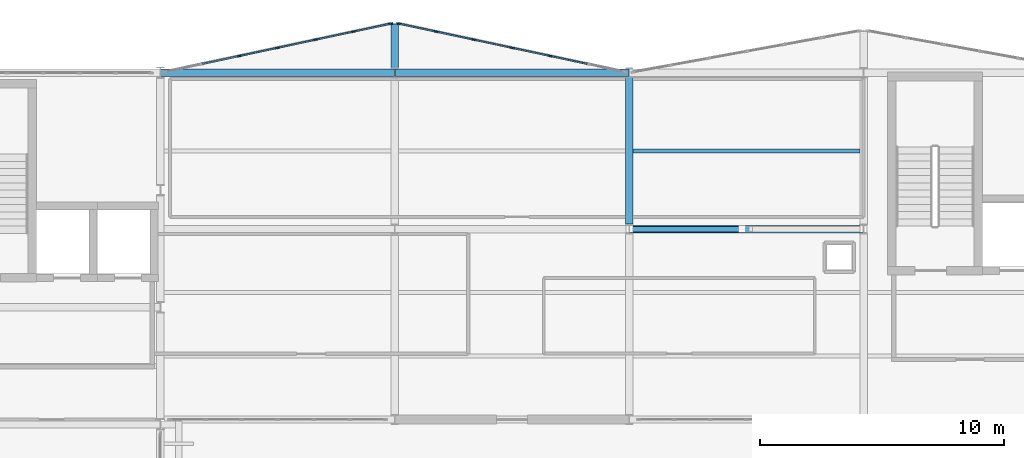
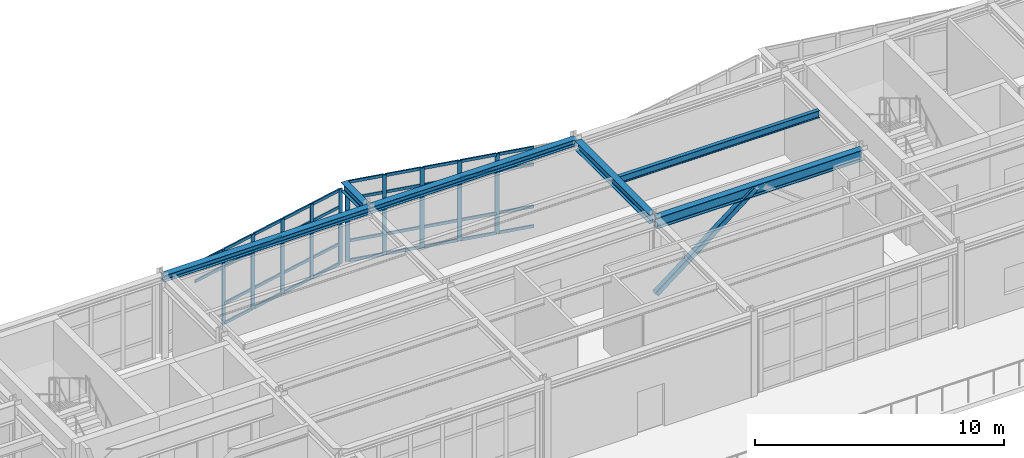
# One storey, part 23 of 47: 49 members, 6 beams, 2 elements without a shape of their own.
"""IFC4 building model written with IfcOpenShell, lengths in metres."""

from ifc_helpers import new_model, si_unit, direction, frame, origin, origin_2d, place, context, subcontext, project, spatial, rectangle, hollow_rectangle, i_section, extrude, material, layer, layer_set, material_profile, profile_set, type_object, element, aggregate, save


model = new_model("IFC4")

# Units and contexts
model_context = context("Model", 3, precision=1e-05, world=origin(), true_north=direction((0.0, 1.0)))
body_context = subcontext(model_context, "Body", "Model", "MODEL_VIEW")
ifc_project = project(units=[si_unit("LENGTHUNIT", "METRE"), si_unit("AREAUNIT", "SQUARE_METRE"), si_unit("VOLUMEUNIT", "CUBIC_METRE"), si_unit("PLANEANGLEUNIT", "RADIAN"), si_unit("MASSUNIT", "GRAM", prefix="KILO")], contexts=[model_context])

# Site, building, storey
site_placement = place(None, origin())
site = spatial("IfcSite", under=ifc_project, at=site_placement, CompositionType="ELEMENT")
building_placement = place(site_placement, origin())
building = spatial("IfcBuilding", under=site, at=building_placement, Name="Nordkorset Police Headquarters", CompositionType="ELEMENT")
storey_placement = place(building_placement, frame((0.0, 0.0, 22.050048828125)))
storey = spatial("IfcBuildingStorey", under=building, at=storey_placement, Name="L05", CompositionType="ELEMENT", Elevation=22.050048828125)

# Beam
ifc_material_1 = material(Name="Steel S355J2", Category="steel")
ifc_material_profile_1 = material_profile(ifc_material_1, i_section(OverallWidth=0.169921875, OverallDepth=0.360107421875, WebThickness=0.008056640625, FlangeThickness=0.0126953125, FilletRadius=0.01806640625, at=origin_2d()), Name="IPE 360")
ifc_profile_set_1 = profile_set([ifc_material_profile_1], Name="Steel S355J2")
beam_type_1 = type_object("IfcBeamType", Name="Beam_IPE_360", PredefinedType="BEAM", material=ifc_profile_set_1)
beam_1_placement = place(storey_placement, frame((48.14990234375, 113.60009765625, 3.820068359375), z_axis=(1.0, 0.0, 0.0), x_axis=(0.0, 1.0, 0.0)))
element("IfcBeam", 1, at=beam_1_placement, inside=storey, type_object=beam_type_1, Name="Composite Floor Beam V2 L05 2-1-1", PredefinedType="BEAM", context=body_context, shape_type="SweptSolid", body=[
    extrude(i_section(OverallWidth=0.169921875, OverallDepth=0.360107421875, WebThickness=0.008056640625, FlangeThickness=0.0126953125, FilletRadius=0.01806640625, at=origin_2d()), origin(), (0.0, 0.0, 1.0), 9.300048828125),
])

# Member
ifc_material_2 = material(Name="Steel S355J2", Category="steel")
ifc_material_profile_2 = material_profile(ifc_material_2, hollow_rectangle(XDim=0.25, YDim=0.25, WallThickness=0.012451171875, InnerFilletRadius=0.012451171875, OuterFilletRadius=0.02490234375, at=origin_2d()), Name="SHS 250x250x12.5")
ifc_profile_set_2 = profile_set([ifc_material_profile_2], Name="Steel S355J2")
member_type_1 = type_object("IfcMemberType", Name="Brace_SHS_250x250x12.5", PredefinedType="BRACE", material=ifc_profile_set_2)
member_1_placement = place(storey_placement, frame((48.006591796875, 110.39990234375, 0.199951171875), z_axis=(0.790033833486, 0.0, 0.613063244655), x_axis=(0.0, 1.0, 0.0)))
element("IfcMember", 2, at=member_1_placement, inside=storey, type_object=member_type_1, Name="Lateral Chevron Brace BF-V2-A L05 D1", PredefinedType="BRACE", context=body_context, shape_type="SweptSolid", body=[
    extrude(hollow_rectangle(XDim=0.25, YDim=0.25, WallThickness=0.012451171875, InnerFilletRadius=0.012451171875, OuterFilletRadius=0.02490234375, at=origin_2d()), origin(), (0.0, 0.0, 1.0), 5.839599609375),
])

# Curtain wall, members
ifc_material_3 = material(Name="Aluminium alloy AW-6060", Category="aluminium")
ifc_layer_1 = layer(ifc_material_3, 0.179931640625, Name="Aluminium alloy AW-6060")
ifc_layer_set_1 = layer_set([ifc_layer_1], Name="Aluminium alloy AW-6060")
curtain_wall_type_1 = type_object("IfcCurtainWallType", Name="CW_Unit_954x367", PredefinedType="USERDEFINED", material=ifc_layer_set_1)
curtain_wall_1_placement = place(storey_placement, origin())
curtain_wall_1 = element("IfcCurtainWall", 3, at=curtain_wall_1_placement, inside=storey, type_object=curtain_wall_type_1, Name="Unitised Curtain Wall L05 V2N-0", ObjectType="UNITISED CURTAIN WALL", PredefinedType="USERDEFINED")
ifc_material_4 = material(Name="Aluminium alloy AW-6060", Category="aluminium")
ifc_material_profile_3 = material_profile(ifc_material_4, rectangle(XDim=0.06494140625, YDim=0.179931640625, at=origin_2d()), Name="ALU MULL 65x180")
ifc_profile_set_3 = profile_set([ifc_material_profile_3], Name="Aluminium alloy AW-6060")
member_type_2 = type_object("IfcMemberType", Name="CW_Mullion_65x180", PredefinedType="MULLION", material=ifc_profile_set_3)
member_2_placement = place(storey_placement, frame((32.045654296875, 117.4931640625, 0.0), z_axis=(0.0, 0.0, 1.0), x_axis=(-0.208832534289, 0.977951416289, 0.0)))
member_2 = element("IfcMember", 4, at=member_2_placement, type_object=member_type_2, Name="CW-71 mullion 3", PredefinedType="MULLION", context=body_context, shape_type="SweptSolid", body=[
    extrude(rectangle(XDim=0.06494140625, YDim=0.179931640625, at=origin_2d()), origin(), (0.0, 0.0, 1.0), 3.669921875),
])
member_3_placement = place(storey_placement, frame((33.60009765625, 117.824951171875, 0.0), z_axis=(0.0, 0.0, 1.0), x_axis=(-0.208832534289, 0.977951416289, 0.0)))
member_3 = element("IfcMember", 5, at=member_3_placement, type_object=member_type_2, Name="CW-71 mullion 4", PredefinedType="MULLION", context=body_context, shape_type="SweptSolid", body=[
    extrude(rectangle(XDim=0.06494140625, YDim=0.179931640625, at=origin_2d()), origin(), (0.0, 0.0, 1.0), 3.669921875),
])
member_4_placement = place(storey_placement, frame((35.154296875, 118.156982421875, 0.0), z_axis=(0.0, 0.0, 1.0), x_axis=(-0.208832534289, 0.977951416289, 0.0)))
member_4 = element("IfcMember", 6, at=member_4_placement, type_object=member_type_2, Name="CW-71 mullion 5", PredefinedType="MULLION", context=body_context, shape_type="SweptSolid", body=[
    extrude(rectangle(XDim=0.06494140625, YDim=0.179931640625, at=origin_2d()), origin(), (0.0, 0.0, 1.0), 3.669921875),
])
member_5_placement = place(storey_placement, frame((36.708740234375, 118.48876953125, 0.0), z_axis=(0.0, 0.0, 1.0), x_axis=(-0.208832534289, 0.977951416289, 0.0)))
member_5 = element("IfcMember", 7, at=member_5_placement, type_object=member_type_2, Name="CW-71 mullion 6", PredefinedType="MULLION", context=body_context, shape_type="SweptSolid", body=[
    extrude(rectangle(XDim=0.06494140625, YDim=0.179931640625, at=origin_2d()), origin(), (0.0, 0.0, 1.0), 3.669921875),
])
member_6_placement = place(storey_placement, frame((38.231201171875, 118.81396484375, 0.0), z_axis=(0.0, 0.0, 1.0), x_axis=(-0.208832534289, 0.977951416289, 0.0)))
member_6 = element("IfcMember", 8, at=member_6_placement, type_object=member_type_2, Name="CW-71 mullion 7", PredefinedType="MULLION", context=body_context, shape_type="SweptSolid", body=[
    extrude(rectangle(XDim=0.06494140625, YDim=0.179931640625, at=origin_2d()), origin(), (0.0, 0.0, 1.0), 3.669921875),
])

ifc_material_5 = material(Name="Aluminium alloy AW-6060", Category="aluminium")
ifc_layer_2 = layer(ifc_material_5, 0.179931640625, Name="Aluminium alloy AW-6060")
ifc_layer_set_2 = layer_set([ifc_layer_2], Name="Aluminium alloy AW-6060")
curtain_wall_type_2 = type_object("IfcCurtainWallType", Name="CW_Unit_954x392", PredefinedType="USERDEFINED", material=ifc_layer_set_2)
curtain_wall_2_placement = place(storey_placement, origin())
curtain_wall_2 = element("IfcCurtainWall", 9, at=curtain_wall_2_placement, inside=storey, type_object=curtain_wall_type_2, Name="Unitised Curtain Wall L05 V2N-1", ObjectType="UNITISED CURTAIN WALL", PredefinedType="USERDEFINED")
member_7_placement = place(storey_placement, frame((38.568603515625, 118.81396484375, 0.0), z_axis=(0.0, 0.0, 1.0), x_axis=(0.208832534289, 0.977951416289, 0.0)))
member_7 = element("IfcMember", 10, at=member_7_placement, type_object=member_type_2, Name="CW-20 mullion 1", PredefinedType="MULLION", context=body_context, shape_type="SweptSolid", body=[
    extrude(rectangle(XDim=0.06494140625, YDim=0.179931640625, at=origin_2d()), origin(), (0.0, 0.0, 1.0), 3.919921875),
])
member_8_placement = place(storey_placement, frame((40.09130859375, 118.48876953125, 0.0), z_axis=(0.0, 0.0, 1.0), x_axis=(0.208832534289, 0.977951416289, 0.0)))
member_8 = element("IfcMember", 11, at=member_8_placement, type_object=member_type_2, Name="CW-20 mullion 2", PredefinedType="MULLION", context=body_context, shape_type="SweptSolid", body=[
    extrude(rectangle(XDim=0.06494140625, YDim=0.179931640625, at=origin_2d()), origin(), (0.0, 0.0, 1.0), 3.919921875),
])
member_9_placement = place(storey_placement, frame((41.645751953125, 118.156982421875, 0.0), z_axis=(0.0, 0.0, 1.0), x_axis=(0.208832534289, 0.977951416289, 0.0)))
member_9 = element("IfcMember", 12, at=member_9_placement, type_object=member_type_2, Name="CW-20 mullion 3", PredefinedType="MULLION", context=body_context, shape_type="SweptSolid", body=[
    extrude(rectangle(XDim=0.06494140625, YDim=0.179931640625, at=origin_2d()), origin(), (0.0, 0.0, 1.0), 3.919921875),
])
member_10_placement = place(storey_placement, frame((43.199951171875, 117.824951171875, 0.0), z_axis=(0.0, 0.0, 1.0), x_axis=(0.208832534289, 0.977951416289, 0.0)))
member_10 = element("IfcMember", 13, at=member_10_placement, type_object=member_type_2, Name="CW-20 mullion 4", PredefinedType="MULLION", context=body_context, shape_type="SweptSolid", body=[
    extrude(rectangle(XDim=0.06494140625, YDim=0.179931640625, at=origin_2d()), origin(), (0.0, 0.0, 1.0), 3.919921875),
])
member_11_placement = place(storey_placement, frame((44.75439453125, 117.4931640625, 0.0), z_axis=(0.0, 0.0, 1.0), x_axis=(0.208832534289, 0.977951416289, 0.0)))
member_11 = element("IfcMember", 14, at=member_11_placement, type_object=member_type_2, Name="CW-20 mullion 5", PredefinedType="MULLION", context=body_context, shape_type="SweptSolid", body=[
    extrude(rectangle(XDim=0.06494140625, YDim=0.179931640625, at=origin_2d()), origin(), (0.0, 0.0, 1.0), 3.919921875),
])

# Member
ifc_material_6 = material(Name="Aluminium alloy AW-6060", Category="aluminium")
ifc_material_profile_4 = material_profile(ifc_material_6, rectangle(XDim=0.06494140625, YDim=0.139892578125, at=origin_2d()), Name="ALU TRAN 65x140")
ifc_profile_set_4 = profile_set([ifc_material_profile_4], Name="Aluminium alloy AW-6060")
member_type_3 = type_object("IfcMemberType", Name="CW_Transom_65x140", PredefinedType="USERDEFINED", material=ifc_profile_set_4)
member_12_placement = place(storey_placement, frame((30.52294921875, 117.16796875, 2.820068359375), z_axis=(0.977954480787, 0.208818182896, 0.0), x_axis=(-0.208818182896, 0.977954480787, 0.0)))
member_12 = element("IfcMember", 15, at=member_12_placement, type_object=member_type_3, Name="CW-71 transom 2.3", ObjectType="TRANSOM", PredefinedType="USERDEFINED", context=body_context, shape_type="SweptSolid", body=[
    extrude(rectangle(XDim=0.06494140625, YDim=0.139892578125, at=origin_2d()), origin(), (0.0, 0.0, 1.0), 1.524658203125),
])

member_13_placement = place(storey_placement, frame((30.52294921875, 117.16796875, 3.637451171875), z_axis=(0.977954480787, 0.208818182896, 0.0), x_axis=(-0.208818182896, 0.977954480787, 0.0)))
member_13 = element("IfcMember", 16, at=member_13_placement, type_object=member_type_3, Name="CW-71 transom 2.4", ObjectType="TRANSOM", PredefinedType="USERDEFINED", context=body_context, shape_type="SweptSolid", body=[
    extrude(rectangle(XDim=0.06494140625, YDim=0.139892578125, at=origin_2d()), origin(), (0.0, 0.0, 1.0), 1.524658203125),
])

member_14_placement = place(storey_placement, frame((32.077392578125, 117.499755859375, 0.032470703125), z_axis=(0.977947496383, 0.208850890154, 0.0), x_axis=(-0.208850890154, 0.977947496383, 0.0)))
member_14 = element("IfcMember", 17, at=member_14_placement, type_object=member_type_3, Name="CW-71 transom 3.1", ObjectType="TRANSOM", PredefinedType="USERDEFINED", context=body_context, shape_type="SweptSolid", body=[
    extrude(rectangle(XDim=0.06494140625, YDim=0.139892578125, at=origin_2d()), origin(), (0.0, 0.0, 1.0), 1.5244140625),
])

member_15_placement = place(storey_placement, frame((32.077392578125, 117.499755859375, 1.0), z_axis=(0.977947496383, 0.208850890154, 0.0), x_axis=(-0.208850890154, 0.977947496383, 0.0)))
member_15 = element("IfcMember", 18, at=member_15_placement, type_object=member_type_3, Name="CW-71 transom 3.2", ObjectType="TRANSOM", PredefinedType="USERDEFINED", context=body_context, shape_type="SweptSolid", body=[
    extrude(rectangle(XDim=0.06494140625, YDim=0.139892578125, at=origin_2d()), origin(), (0.0, 0.0, 1.0), 1.5244140625),
])

member_16_placement = place(storey_placement, frame((32.077392578125, 117.499755859375, 2.820068359375), z_axis=(0.977947496383, 0.208850890154, 0.0), x_axis=(-0.208850890154, 0.977947496383, 0.0)))
member_16 = element("IfcMember", 19, at=member_16_placement, type_object=member_type_3, Name="CW-71 transom 3.3", ObjectType="TRANSOM", PredefinedType="USERDEFINED", context=body_context, shape_type="SweptSolid", body=[
    extrude(rectangle(XDim=0.06494140625, YDim=0.139892578125, at=origin_2d()), origin(), (0.0, 0.0, 1.0), 1.5244140625),
])

member_17_placement = place(storey_placement, frame((32.077392578125, 117.499755859375, 3.637451171875), z_axis=(0.977947496383, 0.208850890154, 0.0), x_axis=(-0.208850890154, 0.977947496383, 0.0)))
member_17 = element("IfcMember", 20, at=member_17_placement, type_object=member_type_3, Name="CW-71 transom 3.4", ObjectType="TRANSOM", PredefinedType="USERDEFINED", context=body_context, shape_type="SweptSolid", body=[
    extrude(rectangle(XDim=0.06494140625, YDim=0.139892578125, at=origin_2d()), origin(), (0.0, 0.0, 1.0), 1.5244140625),
])

member_18_placement = place(storey_placement, frame((33.6318359375, 117.831787109375, 0.032470703125), z_axis=(0.977947496383, 0.208850890154, 0.0), x_axis=(-0.208850890154, 0.977947496383, 0.0)))
member_18 = element("IfcMember", 21, at=member_18_placement, type_object=member_type_3, Name="CW-71 transom 4.1", ObjectType="TRANSOM", PredefinedType="USERDEFINED", context=body_context, shape_type="SweptSolid", body=[
    extrude(rectangle(XDim=0.06494140625, YDim=0.139892578125, at=origin_2d()), origin(), (0.0, 0.0, 1.0), 1.5244140625),
])

member_19_placement = place(storey_placement, frame((33.6318359375, 117.831787109375, 1.0), z_axis=(0.977947496383, 0.208850890154, 0.0), x_axis=(-0.208850890154, 0.977947496383, 0.0)))
member_19 = element("IfcMember", 22, at=member_19_placement, type_object=member_type_3, Name="CW-71 transom 4.2", ObjectType="TRANSOM", PredefinedType="USERDEFINED", context=body_context, shape_type="SweptSolid", body=[
    extrude(rectangle(XDim=0.06494140625, YDim=0.139892578125, at=origin_2d()), origin(), (0.0, 0.0, 1.0), 1.5244140625),
])

member_20_placement = place(storey_placement, frame((33.6318359375, 117.831787109375, 2.820068359375), z_axis=(0.977947496383, 0.208850890154, 0.0), x_axis=(-0.208850890154, 0.977947496383, 0.0)))
member_20 = element("IfcMember", 23, at=member_20_placement, type_object=member_type_3, Name="CW-71 transom 4.3", ObjectType="TRANSOM", PredefinedType="USERDEFINED", context=body_context, shape_type="SweptSolid", body=[
    extrude(rectangle(XDim=0.06494140625, YDim=0.139892578125, at=origin_2d()), origin(), (0.0, 0.0, 1.0), 1.5244140625),
])

member_21_placement = place(storey_placement, frame((33.6318359375, 117.831787109375, 3.637451171875), z_axis=(0.977947496383, 0.208850890154, 0.0), x_axis=(-0.208850890154, 0.977947496383, 0.0)))
member_21 = element("IfcMember", 24, at=member_21_placement, type_object=member_type_3, Name="CW-71 transom 4.4", ObjectType="TRANSOM", PredefinedType="USERDEFINED", context=body_context, shape_type="SweptSolid", body=[
    extrude(rectangle(XDim=0.06494140625, YDim=0.139892578125, at=origin_2d()), origin(), (0.0, 0.0, 1.0), 1.5244140625),
])

member_22_placement = place(storey_placement, frame((35.18603515625, 118.163818359375, 0.032470703125), z_axis=(0.97798717214, 0.208665021336, 0.0), x_axis=(-0.208665021336, 0.97798717214, 0.0)))
member_22 = element("IfcMember", 25, at=member_22_placement, type_object=member_type_3, Name="CW-71 transom 5.1", ObjectType="TRANSOM", PredefinedType="USERDEFINED", context=body_context, shape_type="SweptSolid", body=[
    extrude(rectangle(XDim=0.06494140625, YDim=0.139892578125, at=origin_2d()), origin(), (0.0, 0.0, 1.0), 1.5244140625),
])

member_23_placement = place(storey_placement, frame((35.18603515625, 118.163818359375, 1.0), z_axis=(0.97798717214, 0.208665021336, 0.0), x_axis=(-0.208665021336, 0.97798717214, 0.0)))
member_23 = element("IfcMember", 26, at=member_23_placement, type_object=member_type_3, Name="CW-71 transom 5.2", ObjectType="TRANSOM", PredefinedType="USERDEFINED", context=body_context, shape_type="SweptSolid", body=[
    extrude(rectangle(XDim=0.06494140625, YDim=0.139892578125, at=origin_2d()), origin(), (0.0, 0.0, 1.0), 1.5244140625),
])

member_24_placement = place(storey_placement, frame((35.18603515625, 118.163818359375, 2.820068359375), z_axis=(0.97798717214, 0.208665021336, 0.0), x_axis=(-0.208665021336, 0.97798717214, 0.0)))
member_24 = element("IfcMember", 27, at=member_24_placement, type_object=member_type_3, Name="CW-71 transom 5.3", ObjectType="TRANSOM", PredefinedType="USERDEFINED", context=body_context, shape_type="SweptSolid", body=[
    extrude(rectangle(XDim=0.06494140625, YDim=0.139892578125, at=origin_2d()), origin(), (0.0, 0.0, 1.0), 1.5244140625),
])

member_25_placement = place(storey_placement, frame((35.18603515625, 118.163818359375, 3.637451171875), z_axis=(0.97798717214, 0.208665021336, 0.0), x_axis=(-0.208665021336, 0.97798717214, 0.0)))
member_25 = element("IfcMember", 28, at=member_25_placement, type_object=member_type_3, Name="CW-71 transom 5.4", ObjectType="TRANSOM", PredefinedType="USERDEFINED", context=body_context, shape_type="SweptSolid", body=[
    extrude(rectangle(XDim=0.06494140625, YDim=0.139892578125, at=origin_2d()), origin(), (0.0, 0.0, 1.0), 1.5244140625),
])

member_26_placement = place(storey_placement, frame((36.740478515625, 118.49560546875, 0.032470703125), z_axis=(0.977955422008, 0.208813774846, 0.0), x_axis=(-0.208813774846, 0.977955422008, 0.0)))
member_26 = element("IfcMember", 29, at=member_26_placement, type_object=member_type_3, Name="CW-71 transom 6.1", ObjectType="TRANSOM", PredefinedType="USERDEFINED", context=body_context, shape_type="SweptSolid", body=[
    extrude(rectangle(XDim=0.06494140625, YDim=0.139892578125, at=origin_2d()), origin(), (0.0, 0.0, 1.0), 1.491943359375),
])

member_27_placement = place(storey_placement, frame((36.740478515625, 118.49560546875, 1.0), z_axis=(0.977955422008, 0.208813774846, 0.0), x_axis=(-0.208813774846, 0.977955422008, 0.0)))
member_27 = element("IfcMember", 30, at=member_27_placement, type_object=member_type_3, Name="CW-71 transom 6.2", ObjectType="TRANSOM", PredefinedType="USERDEFINED", context=body_context, shape_type="SweptSolid", body=[
    extrude(rectangle(XDim=0.06494140625, YDim=0.139892578125, at=origin_2d()), origin(), (0.0, 0.0, 1.0), 1.491943359375),
])

member_28_placement = place(storey_placement, frame((36.740478515625, 118.49560546875, 2.820068359375), z_axis=(0.977955422008, 0.208813774846, 0.0), x_axis=(-0.208813774846, 0.977955422008, 0.0)))
member_28 = element("IfcMember", 31, at=member_28_placement, type_object=member_type_3, Name="CW-71 transom 6.3", ObjectType="TRANSOM", PredefinedType="USERDEFINED", context=body_context, shape_type="SweptSolid", body=[
    extrude(rectangle(XDim=0.06494140625, YDim=0.139892578125, at=origin_2d()), origin(), (0.0, 0.0, 1.0), 1.491943359375),
])

member_29_placement = place(storey_placement, frame((36.740478515625, 118.49560546875, 3.637451171875), z_axis=(0.977955422008, 0.208813774846, 0.0), x_axis=(-0.208813774846, 0.977955422008, 0.0)))
member_29 = element("IfcMember", 32, at=member_29_placement, type_object=member_type_3, Name="CW-71 transom 6.4", ObjectType="TRANSOM", PredefinedType="USERDEFINED", context=body_context, shape_type="SweptSolid", body=[
    extrude(rectangle(XDim=0.06494140625, YDim=0.139892578125, at=origin_2d()), origin(), (0.0, 0.0, 1.0), 1.491943359375),
])

aggregate(curtain_wall_1, [member_2, member_3, member_4, member_5, member_6, member_12, member_13, member_14, member_15, member_16, member_17, member_18, member_19, member_20, member_21, member_22, member_23, member_24, member_25, member_26, member_27, member_28, member_29])

member_30_placement = place(storey_placement, frame((38.6005859375, 118.80712890625, 0.032470703125), z_axis=(0.977955422008, -0.208813774846, 0.0), x_axis=(0.208813774846, 0.977955422008, 0.0)))
member_30 = element("IfcMember", 33, at=member_30_placement, type_object=member_type_3, Name="CW-20 transom 1.1", ObjectType="TRANSOM", PredefinedType="USERDEFINED", context=body_context, shape_type="SweptSolid", body=[
    extrude(rectangle(XDim=0.06494140625, YDim=0.139892578125, at=origin_2d()), origin(), (0.0, 0.0, 1.0), 1.491943359375),
])

member_31_placement = place(storey_placement, frame((38.6005859375, 118.80712890625, 1.0), z_axis=(0.977955422008, -0.208813774846, 0.0), x_axis=(0.208813774846, 0.977955422008, 0.0)))
member_31 = element("IfcMember", 34, at=member_31_placement, type_object=member_type_3, Name="CW-20 transom 1.2", ObjectType="TRANSOM", PredefinedType="USERDEFINED", context=body_context, shape_type="SweptSolid", body=[
    extrude(rectangle(XDim=0.06494140625, YDim=0.139892578125, at=origin_2d()), origin(), (0.0, 0.0, 1.0), 1.491943359375),
])

member_32_placement = place(storey_placement, frame((38.6005859375, 118.80712890625, 3.070068359375), z_axis=(0.977955422008, -0.208813774846, 0.0), x_axis=(0.208813774846, 0.977955422008, 0.0)))
member_32 = element("IfcMember", 35, at=member_32_placement, type_object=member_type_3, Name="CW-20 transom 1.3", ObjectType="TRANSOM", PredefinedType="USERDEFINED", context=body_context, shape_type="SweptSolid", body=[
    extrude(rectangle(XDim=0.06494140625, YDim=0.139892578125, at=origin_2d()), origin(), (0.0, 0.0, 1.0), 1.491943359375),
])

member_33_placement = place(storey_placement, frame((38.6005859375, 118.80712890625, 3.887451171875), z_axis=(0.977955422008, -0.208813774846, 0.0), x_axis=(0.208813774846, 0.977955422008, 0.0)))
member_33 = element("IfcMember", 36, at=member_33_placement, type_object=member_type_3, Name="CW-20 transom 1.4", ObjectType="TRANSOM", PredefinedType="USERDEFINED", context=body_context, shape_type="SweptSolid", body=[
    extrude(rectangle(XDim=0.06494140625, YDim=0.139892578125, at=origin_2d()), origin(), (0.0, 0.0, 1.0), 1.491943359375),
])

member_34_placement = place(storey_placement, frame((40.123046875, 118.48193359375, 0.032470703125), z_axis=(0.977980197745, -0.20869770679, 0.0), x_axis=(0.20869770679, 0.977980197745, 0.0)))
member_34 = element("IfcMember", 37, at=member_34_placement, type_object=member_type_3, Name="CW-20 transom 2.1", ObjectType="TRANSOM", PredefinedType="USERDEFINED", context=body_context, shape_type="SweptSolid", body=[
    extrude(rectangle(XDim=0.06494140625, YDim=0.139892578125, at=origin_2d()), origin(), (0.0, 0.0, 1.0), 1.524169921875),
])

member_35_placement = place(storey_placement, frame((40.123046875, 118.48193359375, 1.0), z_axis=(0.977980197745, -0.20869770679, 0.0), x_axis=(0.20869770679, 0.977980197745, 0.0)))
member_35 = element("IfcMember", 38, at=member_35_placement, type_object=member_type_3, Name="CW-20 transom 2.2", ObjectType="TRANSOM", PredefinedType="USERDEFINED", context=body_context, shape_type="SweptSolid", body=[
    extrude(rectangle(XDim=0.06494140625, YDim=0.139892578125, at=origin_2d()), origin(), (0.0, 0.0, 1.0), 1.524169921875),
])

member_36_placement = place(storey_placement, frame((40.123046875, 118.48193359375, 3.070068359375), z_axis=(0.977980197745, -0.20869770679, 0.0), x_axis=(0.20869770679, 0.977980197745, 0.0)))
member_36 = element("IfcMember", 39, at=member_36_placement, type_object=member_type_3, Name="CW-20 transom 2.3", ObjectType="TRANSOM", PredefinedType="USERDEFINED", context=body_context, shape_type="SweptSolid", body=[
    extrude(rectangle(XDim=0.06494140625, YDim=0.139892578125, at=origin_2d()), origin(), (0.0, 0.0, 1.0), 1.524169921875),
])

member_37_placement = place(storey_placement, frame((40.123046875, 118.48193359375, 3.887451171875), z_axis=(0.977980197745, -0.20869770679, 0.0), x_axis=(0.20869770679, 0.977980197745, 0.0)))
member_37 = element("IfcMember", 40, at=member_37_placement, type_object=member_type_3, Name="CW-20 transom 2.4", ObjectType="TRANSOM", PredefinedType="USERDEFINED", context=body_context, shape_type="SweptSolid", body=[
    extrude(rectangle(XDim=0.06494140625, YDim=0.139892578125, at=origin_2d()), origin(), (0.0, 0.0, 1.0), 1.524169921875),
])

member_38_placement = place(storey_placement, frame((41.677490234375, 118.150146484375, 0.032470703125), z_axis=(0.977947496383, -0.208850890154, 0.0), x_axis=(0.208850890154, 0.977947496383, 0.0)))
member_38 = element("IfcMember", 41, at=member_38_placement, type_object=member_type_3, Name="CW-20 transom 3.1", ObjectType="TRANSOM", PredefinedType="USERDEFINED", context=body_context, shape_type="SweptSolid", body=[
    extrude(rectangle(XDim=0.06494140625, YDim=0.139892578125, at=origin_2d()), origin(), (0.0, 0.0, 1.0), 1.5244140625),
])

member_39_placement = place(storey_placement, frame((41.677490234375, 118.150146484375, 1.0), z_axis=(0.977947496383, -0.208850890154, 0.0), x_axis=(0.208850890154, 0.977947496383, 0.0)))
member_39 = element("IfcMember", 42, at=member_39_placement, type_object=member_type_3, Name="CW-20 transom 3.2", ObjectType="TRANSOM", PredefinedType="USERDEFINED", context=body_context, shape_type="SweptSolid", body=[
    extrude(rectangle(XDim=0.06494140625, YDim=0.139892578125, at=origin_2d()), origin(), (0.0, 0.0, 1.0), 1.5244140625),
])

member_40_placement = place(storey_placement, frame((41.677490234375, 118.150146484375, 3.070068359375), z_axis=(0.977947496383, -0.208850890154, 0.0), x_axis=(0.208850890154, 0.977947496383, 0.0)))
member_40 = element("IfcMember", 43, at=member_40_placement, type_object=member_type_3, Name="CW-20 transom 3.3", ObjectType="TRANSOM", PredefinedType="USERDEFINED", context=body_context, shape_type="SweptSolid", body=[
    extrude(rectangle(XDim=0.06494140625, YDim=0.139892578125, at=origin_2d()), origin(), (0.0, 0.0, 1.0), 1.5244140625),
])

member_41_placement = place(storey_placement, frame((41.677490234375, 118.150146484375, 3.887451171875), z_axis=(0.977947496383, -0.208850890154, 0.0), x_axis=(0.208850890154, 0.977947496383, 0.0)))
member_41 = element("IfcMember", 44, at=member_41_placement, type_object=member_type_3, Name="CW-20 transom 3.4", ObjectType="TRANSOM", PredefinedType="USERDEFINED", context=body_context, shape_type="SweptSolid", body=[
    extrude(rectangle(XDim=0.06494140625, YDim=0.139892578125, at=origin_2d()), origin(), (0.0, 0.0, 1.0), 1.5244140625),
])

member_42_placement = place(storey_placement, frame((43.231689453125, 117.818115234375, 0.032470703125), z_axis=(0.977954480787, -0.208818182896, 0.0), x_axis=(0.208818182896, 0.977954480787, 0.0)))
member_42 = element("IfcMember", 45, at=member_42_placement, type_object=member_type_3, Name="CW-20 transom 4.1", ObjectType="TRANSOM", PredefinedType="USERDEFINED", context=body_context, shape_type="SweptSolid", body=[
    extrude(rectangle(XDim=0.06494140625, YDim=0.139892578125, at=origin_2d()), origin(), (0.0, 0.0, 1.0), 1.524658203125),
])

member_43_placement = place(storey_placement, frame((43.231689453125, 117.818115234375, 1.0), z_axis=(0.977954480787, -0.208818182896, 0.0), x_axis=(0.208818182896, 0.977954480787, 0.0)))
member_43 = element("IfcMember", 46, at=member_43_placement, type_object=member_type_3, Name="CW-20 transom 4.2", ObjectType="TRANSOM", PredefinedType="USERDEFINED", context=body_context, shape_type="SweptSolid", body=[
    extrude(rectangle(XDim=0.06494140625, YDim=0.139892578125, at=origin_2d()), origin(), (0.0, 0.0, 1.0), 1.524658203125),
])

member_44_placement = place(storey_placement, frame((43.231689453125, 117.818115234375, 3.070068359375), z_axis=(0.977954480787, -0.208818182896, 0.0), x_axis=(0.208818182896, 0.977954480787, 0.0)))
member_44 = element("IfcMember", 47, at=member_44_placement, type_object=member_type_3, Name="CW-20 transom 4.3", ObjectType="TRANSOM", PredefinedType="USERDEFINED", context=body_context, shape_type="SweptSolid", body=[
    extrude(rectangle(XDim=0.06494140625, YDim=0.139892578125, at=origin_2d()), origin(), (0.0, 0.0, 1.0), 1.524658203125),
])

member_45_placement = place(storey_placement, frame((43.231689453125, 117.818115234375, 3.887451171875), z_axis=(0.977954480787, -0.208818182896, 0.0), x_axis=(0.208818182896, 0.977954480787, 0.0)))
member_45 = element("IfcMember", 48, at=member_45_placement, type_object=member_type_3, Name="CW-20 transom 4.4", ObjectType="TRANSOM", PredefinedType="USERDEFINED", context=body_context, shape_type="SweptSolid", body=[
    extrude(rectangle(XDim=0.06494140625, YDim=0.139892578125, at=origin_2d()), origin(), (0.0, 0.0, 1.0), 1.524658203125),
])

member_46_placement = place(storey_placement, frame((44.7861328125, 117.486328125, 0.032470703125), z_axis=(0.977947496383, -0.208850890154, 0.0), x_axis=(0.208850890154, 0.977947496383, 0.0)))
member_46 = element("IfcMember", 49, at=member_46_placement, type_object=member_type_3, Name="CW-20 transom 5.1", ObjectType="TRANSOM", PredefinedType="USERDEFINED", context=body_context, shape_type="SweptSolid", body=[
    extrude(rectangle(XDim=0.06494140625, YDim=0.139892578125, at=origin_2d()), origin(), (0.0, 0.0, 1.0), 1.5244140625),
])

member_47_placement = place(storey_placement, frame((44.7861328125, 117.486328125, 1.0), z_axis=(0.977947496383, -0.208850890154, 0.0), x_axis=(0.208850890154, 0.977947496383, 0.0)))
member_47 = element("IfcMember", 50, at=member_47_placement, type_object=member_type_3, Name="CW-20 transom 5.2", ObjectType="TRANSOM", PredefinedType="USERDEFINED", context=body_context, shape_type="SweptSolid", body=[
    extrude(rectangle(XDim=0.06494140625, YDim=0.139892578125, at=origin_2d()), origin(), (0.0, 0.0, 1.0), 1.5244140625),
])

member_48_placement = place(storey_placement, frame((44.7861328125, 117.486328125, 3.070068359375), z_axis=(0.977947496383, -0.208850890154, 0.0), x_axis=(0.208850890154, 0.977947496383, 0.0)))
member_48 = element("IfcMember", 51, at=member_48_placement, type_object=member_type_3, Name="CW-20 transom 5.3", ObjectType="TRANSOM", PredefinedType="USERDEFINED", context=body_context, shape_type="SweptSolid", body=[
    extrude(rectangle(XDim=0.06494140625, YDim=0.139892578125, at=origin_2d()), origin(), (0.0, 0.0, 1.0), 1.5244140625),
])

member_49_placement = place(storey_placement, frame((44.7861328125, 117.486328125, 3.887451171875), z_axis=(0.977947496383, -0.208850890154, 0.0), x_axis=(0.208850890154, 0.977947496383, 0.0)))
member_49 = element("IfcMember", 52, at=member_49_placement, type_object=member_type_3, Name="CW-20 transom 5.4", ObjectType="TRANSOM", PredefinedType="USERDEFINED", context=body_context, shape_type="SweptSolid", body=[
    extrude(rectangle(XDim=0.06494140625, YDim=0.139892578125, at=origin_2d()), origin(), (0.0, 0.0, 1.0), 1.5244140625),
])

aggregate(curtain_wall_2, [member_7, member_8, member_9, member_10, member_11, member_30, member_31, member_32, member_33, member_34, member_35, member_36, member_37, member_38, member_39, member_40, member_41, member_42, member_43, member_44, member_45, member_46, member_47, member_48, member_49])

# Beams
ifc_material_7 = material(Name="Steel S355J2", Category="steel")
ifc_material_profile_5 = material_profile(ifc_material_7, i_section(OverallWidth=0.300048828125, OverallDepth=0.43994140625, WebThickness=0.011474609375, FlangeThickness=0.02099609375, FilletRadius=0.027099609375, at=origin_2d()), Name="HEA 450")
ifc_profile_set_5 = profile_set([ifc_material_profile_5], Name="Steel S355J2")
beam_type_2 = type_object("IfcBeamType", Name="Girder_HEA_450", PredefinedType="USERDEFINED", material=ifc_profile_set_5)
beam_2_placement = place(storey_placement, frame((48.0, 110.60009765625, 3.780029296875), z_axis=(0.0, 1.0, 0.0), x_axis=(-1.0, 0.0, 0.0)))
element("IfcBeam", 53, at=beam_2_placement, inside=storey, type_object=beam_type_2, Name="Girder V2 L05 GY-2-1", ObjectType="GIRDER", PredefinedType="USERDEFINED", context=body_context, shape_type="SweptSolid", body=[
    extrude(i_section(OverallWidth=0.300048828125, OverallDepth=0.43994140625, WebThickness=0.011474609375, FlangeThickness=0.02099609375, FilletRadius=0.027099609375, at=origin_2d()), origin(), (0.0, 0.0, 1.0), 6.0),
])
beam_3_placement = place(storey_placement, frame((38.39990234375, 117.0, 3.780029296875), z_axis=(0.0, 1.0, 0.0), x_axis=(-1.0, 0.0, 0.0)))
element("IfcBeam", 54, at=beam_3_placement, inside=storey, type_object=beam_type_2, Name="Sawtooth Facade Outrigger V2 L05 38", ObjectType="GIRDER", PredefinedType="USERDEFINED", context=body_context, shape_type="SweptSolid", body=[
    extrude(i_section(OverallWidth=0.300048828125, OverallDepth=0.43994140625, WebThickness=0.011474609375, FlangeThickness=0.02099609375, FilletRadius=0.027099609375, at=origin_2d()), origin(), (0.0, 0.0, 1.0), 1.7900390625),
])
ifc_material_8 = material(Name="Steel S355J2", Category="steel")
ifc_material_profile_6 = material_profile(ifc_material_8, i_section(OverallWidth=0.300048828125, OverallDepth=0.5400390625, WebThickness=0.012451171875, FlangeThickness=0.02392578125, FilletRadius=0.027099609375, at=origin_2d()), Name="HEA 550")
ifc_profile_set_6 = profile_set([ifc_material_profile_6], Name="Steel S355J2")
beam_type_3 = type_object("IfcBeamType", Name="Girder_HEA_550", PredefinedType="USERDEFINED", material=ifc_profile_set_6)
beam_4_placement = place(storey_placement, frame((48.006591796875, 110.39990234375, 3.72998046875), z_axis=(1.0, 0.0, 0.0), x_axis=(0.0, 1.0, 0.0)))
element("IfcBeam", 55, at=beam_4_placement, inside=storey, type_object=beam_type_3, Name="Girder V2 L05 GX-1-2", ObjectType="GIRDER", PredefinedType="USERDEFINED", context=body_context, shape_type="SweptSolid", body=[
    extrude(i_section(OverallWidth=0.300048828125, OverallDepth=0.5400390625, WebThickness=0.012451171875, FlangeThickness=0.02392578125, FilletRadius=0.027099609375, at=origin_2d()), origin(), (0.0, 0.0, 1.0), 9.586669921875),
])
ifc_material_9 = material(Name="Steel S355J2", Category="steel")
ifc_material_profile_7 = material_profile(ifc_material_9, i_section(OverallWidth=0.300048828125, OverallDepth=0.31005859375, WebThickness=0.009033203125, FlangeThickness=0.015380859375, FilletRadius=0.027099609375, at=origin_2d()), Name="HEA 320")
ifc_profile_set_7 = profile_set([ifc_material_profile_7], Name="Steel S355J2")
beam_type_4 = type_object("IfcBeamType", Name="Spandrel_HEA_320", PredefinedType="SPANDREL", material=ifc_profile_set_7)
beam_5_placement = place(storey_placement, frame((28.806884765625, 116.800048828125, 3.844970703125), z_axis=(1.0, 0.0, 0.0), x_axis=(0.0, 1.0, 0.0)))
element("IfcBeam", 56, at=beam_5_placement, inside=storey, type_object=beam_type_4, Name="Girder V2 L05 GX-2-0", PredefinedType="SPANDREL", context=body_context, shape_type="SweptSolid", body=[
    extrude(i_section(OverallWidth=0.300048828125, OverallDepth=0.31005859375, WebThickness=0.009033203125, FlangeThickness=0.015380859375, FilletRadius=0.027099609375, at=origin_2d()), origin(), (0.0, 0.0, 1.0), 9.58642578125),
])
beam_6_placement = place(storey_placement, frame((38.40673828125, 116.800048828125, 3.844970703125), z_axis=(1.0, 0.0, 0.0), x_axis=(0.0, 1.0, 0.0)))
element("IfcBeam", 57, at=beam_6_placement, inside=storey, type_object=beam_type_4, Name="Girder V2 L05 GX-2-1", PredefinedType="SPANDREL", context=body_context, shape_type="SweptSolid", body=[
    extrude(i_section(OverallWidth=0.300048828125, OverallDepth=0.31005859375, WebThickness=0.009033203125, FlangeThickness=0.015380859375, FilletRadius=0.027099609375, at=origin_2d()), origin(), (0.0, 0.0, 1.0), 9.586669921875),
])

save(model, "model.ifc")
